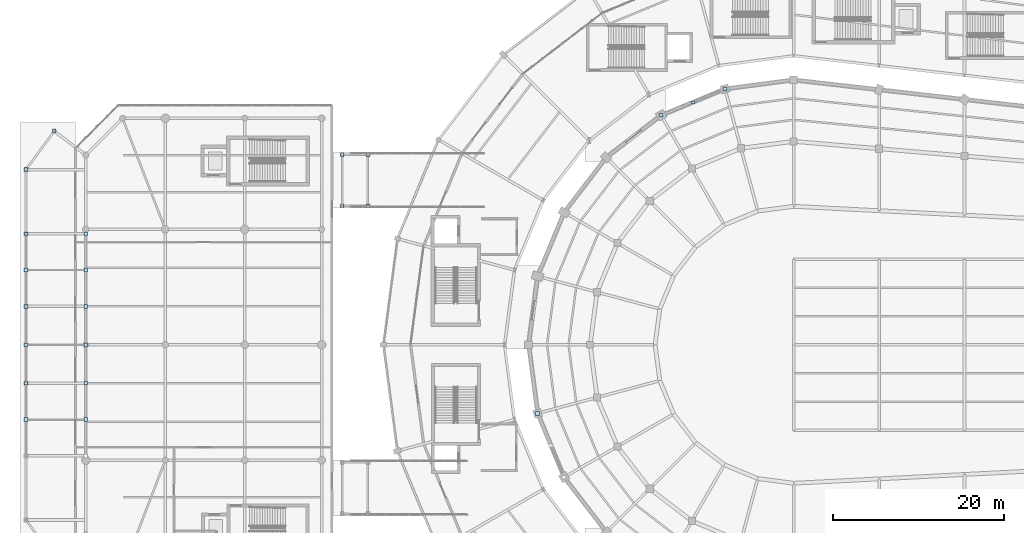
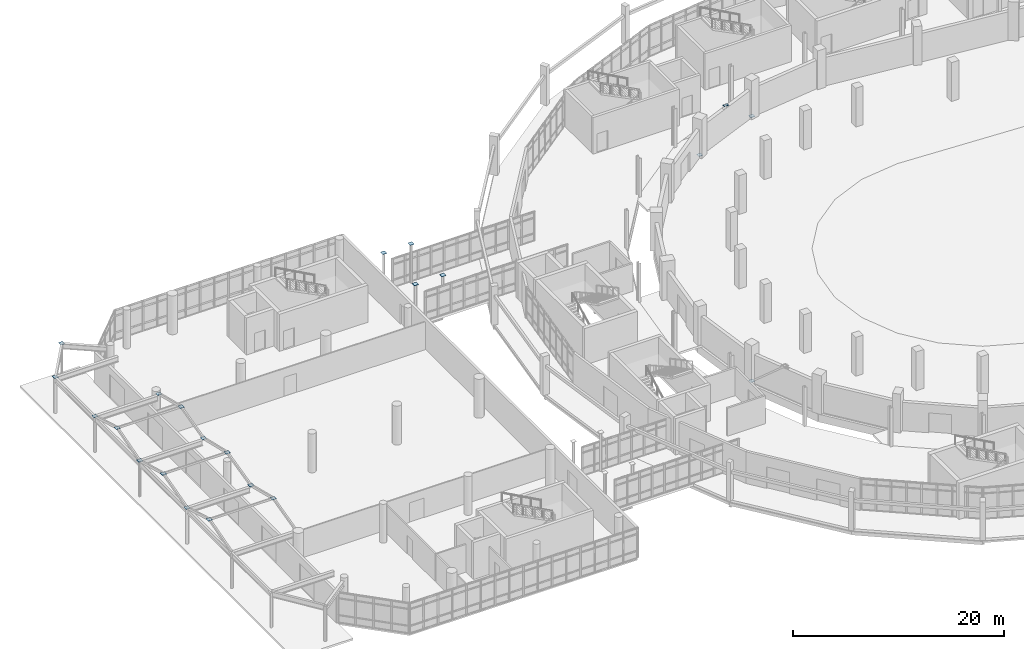
# One storey, part 97 of 122: 22 plates.
"""IFC4 building model written with IfcOpenShell, lengths in metres."""

from ifc_helpers import new_model, si_unit, direction, frame, origin, origin_2d, place, context, subcontext, project, spatial, rectangle, extrude, material, layer, layer_set, type_object, element, save


model = new_model("IFC4")

# Units and contexts
model_context = context("Model", 3, precision=1e-05, world=origin(), true_north=direction((0.0, 1.0)))
body_context = subcontext(model_context, "Body", "Model", "MODEL_VIEW")
ifc_project = project(units=[si_unit("LENGTHUNIT", "METRE"), si_unit("AREAUNIT", "SQUARE_METRE"), si_unit("VOLUMEUNIT", "CUBIC_METRE"), si_unit("PLANEANGLEUNIT", "RADIAN"), si_unit("MASSUNIT", "GRAM", prefix="KILO")], contexts=[model_context])

# Site, building, storey
site_placement = place(None, origin())
site = spatial("IfcSite", under=ifc_project, at=site_placement, CompositionType="ELEMENT")
building_placement = place(site_placement, origin())
building = spatial("IfcBuilding", under=site, at=building_placement, Name="Sohan Crest Arena", CompositionType="ELEMENT")
storey_placement = place(building_placement, origin())
storey = spatial("IfcBuildingStorey", under=building, at=storey_placement, Name="L00", CompositionType="ELEMENT", Elevation=0.0)

# Plates
ifc_material = material(Name="Steel S355", Category="steel")
ifc_layer_1 = layer(ifc_material, 0.031982421875, Name="Steel S355")
ifc_layer_set_1 = layer_set([ifc_layer_1], Name="Steel S355")
plate_type_1 = type_object("IfcPlateType", Name="STR-PL-BP01", PredefinedType="USERDEFINED", material=ifc_layer_set_1)
for number, where, z_axis, x_axis, name in (
    (1, (8.199951171875, 73.5, 4.12744140625), (0.0, 0.0, 1.0), (1.0, 0.0, 0.0), "Hollow section end cap plate ECP-0004"),
    (2, (8.199951171875, 82.5, 4.12744140625), (0.0, 0.0, 1.0), (1.0, 0.0, 0.0), "Hollow section end cap plate ECP-0006"),
    (3, (8.199951171875, 91.0, 4.12744140625), (0.0, 0.0, 1.0), (1.0, 0.0, 0.0), "Hollow section end cap plate ECP-0008"),
    (4, (11.5, 103.0, 4.12744140625), (0.0, 0.0, 1.0), (1.0, 0.0, 0.0), "Hollow section end cap plate ECP-0012"),
    (5, (8.199951171875, 98.5, 4.12744140625), (0.0, 0.0, 1.0), (1.0, 0.0, 0.0), "Hollow section end cap plate ECP-0016"),
    (6, (45.199951171875, 94.25, 4.487548828125), (0.0, 0.0, 1.0), (1.0, 0.0, 0.0), "Hollow section end cap plate ECP-0038"),
    (7, (48.199951171875, 94.25, 4.487548828125), (0.0, 0.0, 1.0), (1.0, 0.0, 0.0), "Hollow section end cap plate ECP-0043"),
    (8, (45.199951171875, 100.25, 4.487548828125), (0.0, 0.0, 1.0), (1.0, 0.0, 0.0), "Hollow section end cap plate ECP-0048"),
    (9, (48.199951171875, 100.25, 4.487548828125), (0.0, 0.0, 1.0), (1.0, 0.0, 0.0), "Hollow section end cap plate ECP-0053"),
    (10, (8.199951171875, 69.25, 5.337646484375), (0.0, 0.0, 1.0), (1.0, 0.0, 0.0), "Hollow section end cap plate ECP-0203"),
    (11, (15.199951171875, 69.25, 5.337646484375), (0.0, 0.0, 1.0), (1.0, 0.0, 0.0), "Hollow section end cap plate ECP-0205"),
    (12, (15.199951171875, 73.5, 4.267578125), (0.0, 0.0, 1.0), (1.0, 0.0, 0.0), "Hollow section end cap plate ECP-0206"),
    (13, (8.199951171875, 78.0, 5.337646484375), (0.0, 0.0, 1.0), (1.0, 0.0, 0.0), "Hollow section end cap plate ECP-0207"),
    (14, (15.199951171875, 78.0, 5.337646484375), (0.0, 0.0, 1.0), (1.0, 0.0, 0.0), "Hollow section end cap plate ECP-0208"),
    (15, (15.199951171875, 82.5, 4.267578125), (0.0, 0.0, 1.0), (1.0, 0.0, 0.0), "Hollow section end cap plate ECP-0209"),
    (16, (8.199951171875, 86.75, 5.337646484375), (0.0, 0.0, 1.0), (1.0, 0.0, 0.0), "Hollow section end cap plate ECP-0210"),
    (17, (15.199951171875, 86.75, 5.337646484375), (0.0, 0.0, 1.0), (1.0, 0.0, 0.0), "Hollow section end cap plate ECP-0211"),
    (18, (15.199951171875, 91.0, 4.267578125), (0.0, 0.0, 1.0), (1.0, 0.0, 0.0), "Hollow section end cap plate ECP-0212"),
    (19, (89.97705078125, 107.944091796875, -0.012451171875), (0.0, 0.0, 1.0), (1.0, 0.0, 0.0), "Hollow section end cap plate ECP-0499"),
    (20, (82.5, 104.846923828125, -0.012451171875), (0.0, 0.0, 1.0), (1.0, 0.0, 0.0), "Hollow section end cap plate ECP-0500"),
    (21, (68.055908203125, 69.97705078125, -0.012451171875), (0.0, 0.0, 1.0), (1.0, 0.0, 0.0), "Hollow section end cap plate ECP-0507"),
):
    element("IfcPlate", number, at=place(storey_placement, frame(where, z_axis=z_axis, x_axis=x_axis)), inside=storey, type_object=plate_type_1, Name=name, ObjectType="BASE PLATE", PredefinedType="USERDEFINED", context=body_context, shape_type="SweptSolid", body=[
        extrude(rectangle(XDim=0.449951171875, YDim=0.449951171875, at=origin_2d()), origin(), (0.0, 0.0, 1.0), 0.02490234375),
    ])
ifc_layer_2 = layer(ifc_material, 0.01806640625, Name="Steel S355")
ifc_layer_set_2 = layer_set([ifc_layer_2], Name="Steel S355")
plate_type_2 = type_object("IfcPlateType", Name="STR-PL-SP03", PredefinedType="SHEET", material=ifc_layer_set_2)
plate_placement = place(storey_placement, frame((86.239013671875, 106.39501953125, 3.490966796875), z_axis=(0.0, 0.0, 1.0), x_axis=(1.0, 0.0, 0.0)))
element("IfcPlate", 22, at=plate_placement, inside=storey, type_object=plate_type_2, Name="Brace connection sheet plate SP-BR002", PredefinedType="SHEET", context=body_context, shape_type="SweptSolid", body=[
    extrude(rectangle(XDim=0.47998046875, YDim=0.300048828125, at=origin_2d()), origin(), (0.0, 0.0, 1.0), 0.01806640625),
])

save(model, "model.ifc")
